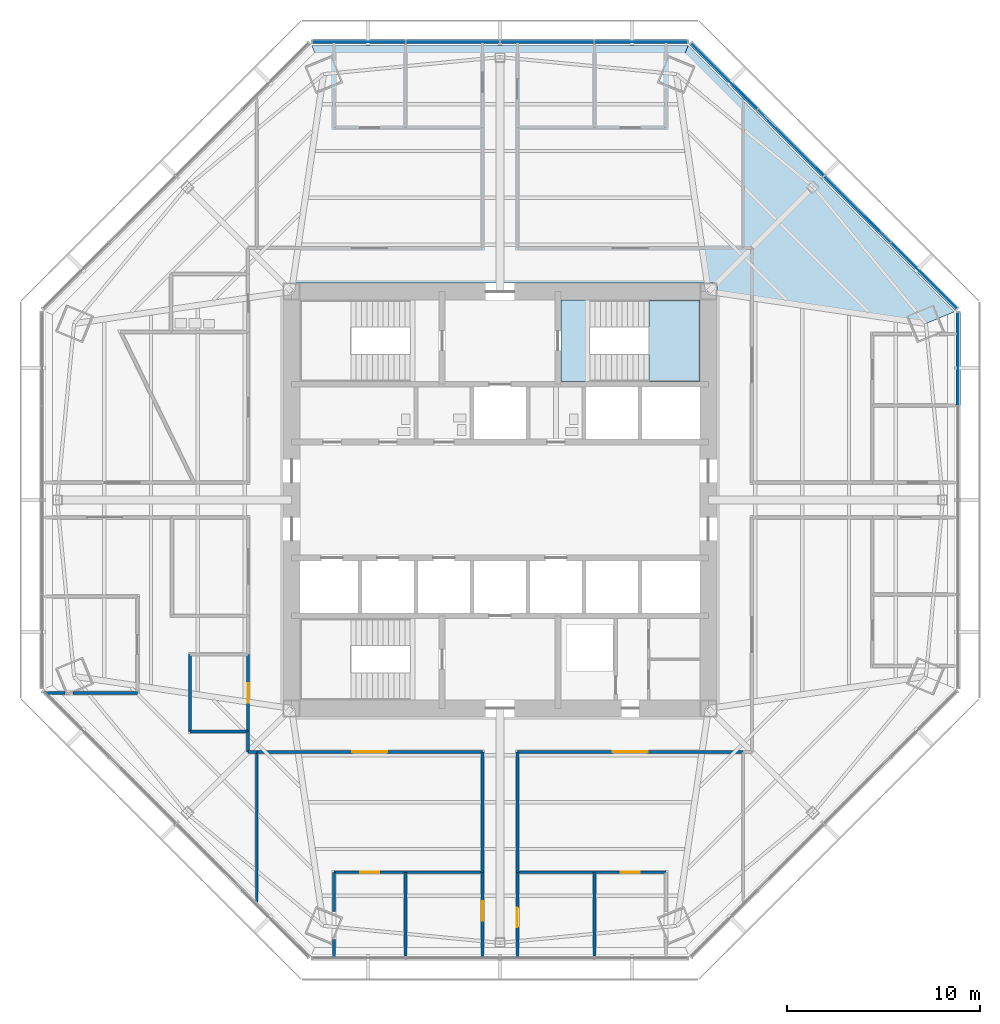
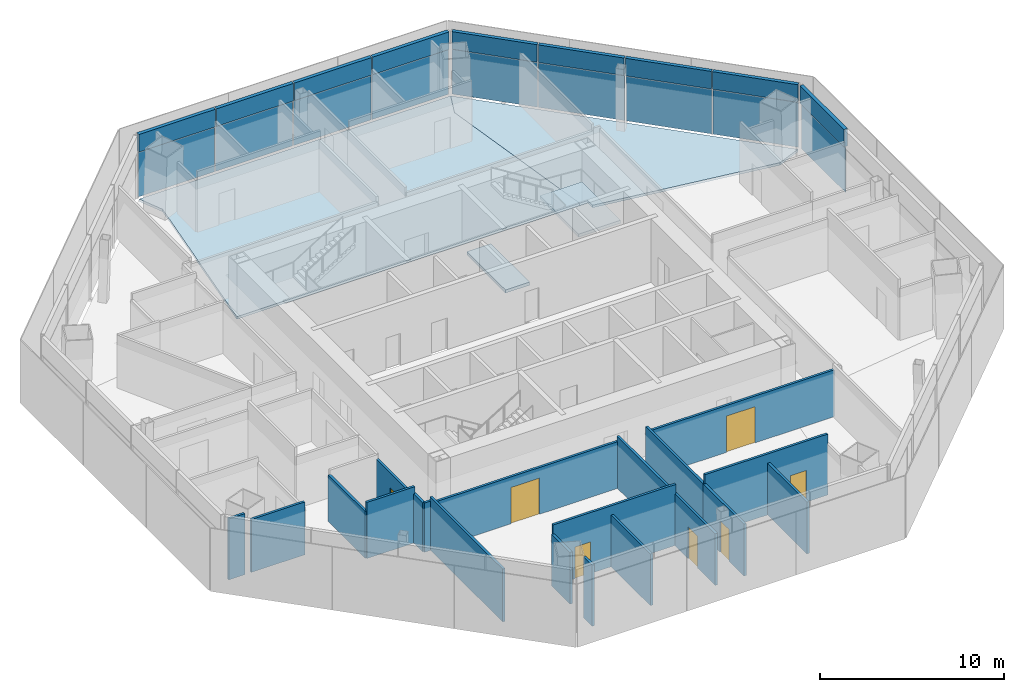
# One storey, part 8 of 15: 20 walls, 18 plates, 7 doors, 4 slabs, 7 openings, 4 elements without a shape of their own.
"""IFC4 building model written with IfcOpenShell, lengths in metres."""

from ifc_helpers import new_model, si_unit, direction, frame, frame_2d, origin, origin_2d, place, context, subcontext, project, spatial, polyline, rectangle, outline, extrude, source, transform, mapped, material, layer, layer_set, type_object, type_shapes, element, fill, aggregate, save


model = new_model("IFC4")

# Units and contexts
model_context = context("Model", 3, precision=1e-05, world=origin(), true_north=direction((0.0, 1.0)))
body_context = subcontext(model_context, "Body", "Model", "MODEL_VIEW")
ifc_project = project(units=[si_unit("LENGTHUNIT", "METRE"), si_unit("AREAUNIT", "SQUARE_METRE"), si_unit("VOLUMEUNIT", "CUBIC_METRE"), si_unit("PLANEANGLEUNIT", "RADIAN"), si_unit("MASSUNIT", "GRAM", prefix="KILO")], contexts=[model_context])

# Site, building, storey
site_placement = place(None, origin())
site = spatial("IfcSite", under=ifc_project, at=site_placement, CompositionType="ELEMENT")
building_placement = place(site_placement, origin())
building = spatial("IfcBuilding", under=site, at=building_placement, Name="Mashrafa Tower", CompositionType="ELEMENT")
storey_placement = place(building_placement, frame((0.0, 0.0, 151.199951171875)))
storey = spatial("IfcBuildingStorey", under=building, at=storey_placement, Name="L34", CompositionType="ELEMENT", Elevation=151.199951171875)

# Slabs
ifc_material_1 = material(Name="Concrete C35/45", Category="concrete")
ifc_layer_1 = layer(ifc_material_1, 0.1650390625)
ifc_layer_set_1 = layer_set([ifc_layer_1], Name="Floor slab 165")
slab_type_1 = type_object("IfcSlabType", Name="Floor slab 165", PredefinedType="FLOOR", material=ifc_layer_set_1)
slab_1_placement = place(storey_placement, frame((0.0, 0.0, -0.1650390625)))
element("IfcSlab", 1, at=slab_1_placement, inside=storey, type_object=slab_type_1, Name="Floor slab L34 north-east bay", PredefinedType="FLOOR", context=body_context, shape_type="SweptSolid", body=[
    extrude(outline(polyline([(23.537353515625, 9.74951171875), (22.06396484375, 9.13916015625), (11.25, 10.733642578125), (11.25, 11.25), (10.733642578125, 11.25), (9.13916015625, 22.06396484375), (9.74951171875, 23.537353515625), (23.537353515625, 9.74951171875)])), origin(), (0.0, 0.0, 1.0), 0.1650390625),
])
slab_2_placement = place(storey_placement, frame((0.0, 0.0, -0.1650390625)))
element("IfcSlab", 2, at=slab_2_placement, inside=storey, type_object=slab_type_1, Name="Floor slab L34 north bay", PredefinedType="FLOOR", context=body_context, shape_type="SweptSolid", body=[
    extrude(outline(polyline([(-9.74951171875, 23.53759765625), (9.74951171875, 23.53759765625), (9.74951171875, 23.537353515625), (9.13916015625, 22.06396484375), (10.733642578125, 11.25), (-10.733642578125, 11.25), (-9.13916015625, 22.06396484375), (-9.74951171875, 23.537353515625), (-9.74951171875, 23.53759765625)])), origin(), (0.0, 0.0, 1.0), 0.1650390625),
])

# Stair, slabs
ifc_material_2 = material(Name="Exit stair 1400")
stair_type = type_object("IfcStairType", Name="Exit stair 1400", PredefinedType="HALF_TURN_STAIR", material=ifc_material_2)
stair_placement = place(storey_placement, origin())
stair = element("IfcStair", 3, at=stair_placement, inside=storey, type_object=stair_type, Name="Stair S2 L34", PredefinedType="HALF_TURN_STAIR")
ifc_material_3 = material(Name="Concrete C32/40", Category="concrete")
ifc_layer_2 = layer(ifc_material_3, 0.199951171875)
ifc_layer_set_2 = layer_set([ifc_layer_2], Name="Stair landing 200")
slab_type_2 = type_object("IfcSlabType", Name="Stair landing 200", PredefinedType="LANDING", material=ifc_layer_set_2)
slab_3_placement = place(storey_placement, frame((0.0, 0.0, -0.199951171875)))
slab_3 = element("IfcSlab", 4, at=slab_3_placement, type_object=slab_type_2, Name="S2 landing 1", PredefinedType="LANDING", context=body_context, shape_type="SweptSolid", body=[
    extrude(outline(polyline([(3.14990234375, 6.14990234375), (4.659912109375, 6.14990234375), (4.659912109375, 10.35009765625), (3.14990234375, 10.35009765625), (3.14990234375, 6.14990234375)])), origin(), (0.0, 0.0, 1.0), 0.199951171875),
])
slab_4_placement = place(storey_placement, frame((0.0, 0.0, 1.900146484375)))
slab_4 = element("IfcSlab", 5, at=slab_4_placement, type_object=slab_type_2, Name="S2 landing 2", PredefinedType="LANDING", context=body_context, shape_type="SweptSolid", body=[
    extrude(outline(polyline([(7.719970703125, 6.14990234375), (10.35009765625, 6.14990234375), (10.35009765625, 10.35009765625), (7.719970703125, 10.35009765625), (7.719970703125, 6.14990234375)])), origin(), (0.0, 0.0, 1.0), 0.199951171875),
])
aggregate(stair, [slab_3, slab_4])

# Curtain wall, plate
ifc_material_4 = material(Name="Unitised aluminium curtain wall", Category="aluminium")
curtain_wall_type = type_object("IfcCurtainWallType", Name="Office curtain wall, zone 2 CW-B 225 deep", PredefinedType="NOTDEFINED", material=ifc_material_4)
curtain_wall_1_placement = place(storey_placement, origin())
curtain_wall_1 = element("IfcCurtainWall", 6, at=curtain_wall_1_placement, inside=storey, type_object=curtain_wall_type, Name="Office curtain wall, zone 2 L34 east", PredefinedType="NOTDEFINED")
ifc_material_5 = material(Name="Insulated double glazing, low-e, neutral", Category="glass")
ifc_layer_3 = layer(ifc_material_5, 0.028076171875)
ifc_layer_set_3 = layer_set([ifc_layer_3], Name="Vision panel CW-B 28")
plate_type_1 = type_object("IfcPlateType", Name="Vision panel CW-B 28", PredefinedType="CURTAIN_PANEL", material=ifc_layer_set_3)
shared_shape_1 = source(origin(), body_context, "Body", "SweptSolid", [
    extrude(rectangle(XDim=4.790283203125, YDim=0.028076171875, at=origin_2d()), origin(), (0.0, 0.0, 1.0), 2.9599609375),
])
plate_1_placement = place(storey_placement, frame((23.737548828125, 7.315673828125, 0.0), z_axis=(0.0, 0.0, 1.0), x_axis=(0.0, 1.0, 0.0)))
plate_1 = element("IfcPlate", 7, at=plate_1_placement, type_object=plate_type_1, Name="CW-B vision panel 4", PredefinedType="CURTAIN_PANEL", context=body_context, shape_type="MappedRepresentation", body=[
    mapped(shared_shape_1, transform((0.0, 0.0, 0.0))),
])

# Curtain wall, plates
curtain_wall_2_placement = place(storey_placement, origin())
curtain_wall_2 = element("IfcCurtainWall", 8, at=curtain_wall_2_placement, inside=storey, type_object=curtain_wall_type, Name="Office curtain wall, zone 2 L34 north-east", PredefinedType="NOTDEFINED")
plate_2_placement = place(storey_placement, frame((21.957763671875, 11.612060546875, 0.0), z_axis=(0.0, 0.0, 1.0), x_axis=(-0.707106781187, 0.707106781187, 0.0)))
plate_2 = element("IfcPlate", 9, at=plate_2_placement, type_object=plate_type_1, Name="CW-B vision panel 1", PredefinedType="CURTAIN_PANEL", context=body_context, shape_type="MappedRepresentation", body=[
    mapped(shared_shape_1, transform((0.0, 0.0, 0.0))),
])
plate_3_placement = place(storey_placement, frame((11.612060546875, 21.957763671875, 0.0), z_axis=(0.0, 0.0, 1.0), x_axis=(-0.707106781187, 0.707106781187, 0.0)))
plate_3 = element("IfcPlate", 10, at=plate_3_placement, type_object=plate_type_1, Name="CW-B vision panel 4", PredefinedType="CURTAIN_PANEL", context=body_context, shape_type="MappedRepresentation", body=[
    mapped(shared_shape_1, transform((0.0, 0.0, 0.0))),
])

curtain_wall_3_placement = place(storey_placement, origin())
curtain_wall_3 = element("IfcCurtainWall", 11, at=curtain_wall_3_placement, inside=storey, type_object=curtain_wall_type, Name="Office curtain wall, zone 2 L34 north", PredefinedType="NOTDEFINED")
plate_4_placement = place(storey_placement, frame((7.315673828125, 23.737548828125, 0.0), z_axis=(0.0, 0.0, 1.0), x_axis=(-1.0, 0.0, 0.0)))
plate_4 = element("IfcPlate", 12, at=plate_4_placement, type_object=plate_type_1, Name="CW-B vision panel 1", PredefinedType="CURTAIN_PANEL", context=body_context, shape_type="MappedRepresentation", body=[
    mapped(shared_shape_1, transform((0.0, 0.0, 0.0))),
])
plate_5_placement = place(storey_placement, frame((-7.315673828125, 23.737548828125, 0.0), z_axis=(0.0, 0.0, 1.0), x_axis=(-1.0, 0.0, 0.0)))
plate_5 = element("IfcPlate", 13, at=plate_5_placement, type_object=plate_type_1, Name="CW-B vision panel 4", PredefinedType="CURTAIN_PANEL", context=body_context, shape_type="MappedRepresentation", body=[
    mapped(shared_shape_1, transform((0.0, 0.0, 0.0))),
])

# Plate
ifc_material_6 = material(Name="Insulated aluminium spandrel panel", Category="aluminium")
ifc_layer_4 = layer(ifc_material_6, 0.219970703125)
ifc_layer_set_4 = layer_set([ifc_layer_4], Name="Spandrel panel CW-B 220")
plate_type_2 = type_object("IfcPlateType", Name="Spandrel panel CW-B 220", PredefinedType="CURTAIN_PANEL", material=ifc_layer_set_4)
shared_shape_2 = source(origin(), body_context, "Body", "SweptSolid", [
    extrude(rectangle(XDim=4.790283203125, YDim=0.219970703125, at=origin_2d()), origin(), (0.0, 0.0, 1.0), 1.159912109375),
])
plate_6_placement = place(storey_placement, frame((23.737548828125, 7.315673828125, 3.0400390625), z_axis=(0.0, 0.0, 1.0), x_axis=(0.0, 1.0, 0.0)))
plate_6 = element("IfcPlate", 14, at=plate_6_placement, type_object=plate_type_2, Name="CW-B spandrel panel 4", PredefinedType="CURTAIN_PANEL", context=body_context, shape_type="MappedRepresentation", body=[
    mapped(shared_shape_2, transform((0.0, 0.0, 0.0))),
])

aggregate(curtain_wall_1, [plate_1, plate_6])

plate_7_placement = place(storey_placement, frame((21.957763671875, 11.612060546875, 3.0400390625), z_axis=(0.0, 0.0, 1.0), x_axis=(-0.707106781187, 0.707106781187, 0.0)))
plate_7 = element("IfcPlate", 15, at=plate_7_placement, type_object=plate_type_2, Name="CW-B spandrel panel 1", PredefinedType="CURTAIN_PANEL", context=body_context, shape_type="MappedRepresentation", body=[
    mapped(shared_shape_2, transform((0.0, 0.0, 0.0))),
])

plate_8_placement = place(storey_placement, frame((11.612060546875, 21.957763671875, 3.0400390625), z_axis=(0.0, 0.0, 1.0), x_axis=(-0.707106781187, 0.707106781187, 0.0)))
plate_8 = element("IfcPlate", 16, at=plate_8_placement, type_object=plate_type_2, Name="CW-B spandrel panel 4", PredefinedType="CURTAIN_PANEL", context=body_context, shape_type="MappedRepresentation", body=[
    mapped(shared_shape_2, transform((0.0, 0.0, 0.0))),
])

plate_9_placement = place(storey_placement, frame((7.315673828125, 23.737548828125, 3.0400390625), z_axis=(0.0, 0.0, 1.0), x_axis=(-1.0, 0.0, 0.0)))
plate_9 = element("IfcPlate", 17, at=plate_9_placement, type_object=plate_type_2, Name="CW-B spandrel panel 1", PredefinedType="CURTAIN_PANEL", context=body_context, shape_type="MappedRepresentation", body=[
    mapped(shared_shape_2, transform((0.0, 0.0, 0.0))),
])

plate_10_placement = place(storey_placement, frame((-7.315673828125, 23.737548828125, 3.0400390625), z_axis=(0.0, 0.0, 1.0), x_axis=(-1.0, 0.0, 0.0)))
plate_10 = element("IfcPlate", 18, at=plate_10_placement, type_object=plate_type_2, Name="CW-B spandrel panel 4", PredefinedType="CURTAIN_PANEL", context=body_context, shape_type="MappedRepresentation", body=[
    mapped(shared_shape_2, transform((0.0, 0.0, 0.0))),
])

shared_shape_3 = source(origin(), body_context, "Body", "SweptSolid", [
    extrude(rectangle(XDim=4.822998046875, YDim=0.028076171875, at=origin_2d()), origin(), (0.0, 0.0, 1.0), 2.9599609375),
])
type_shapes(plate_type_1, [shared_shape_1, shared_shape_3])
plate_11_placement = place(storey_placement, frame((18.51318359375, 15.056884765625, 0.0), z_axis=(0.0, 0.0, 1.0), x_axis=(-0.707106781187, 0.707106781187, 0.0)))
plate_11 = element("IfcPlate", 19, at=plate_11_placement, type_object=plate_type_1, Name="CW-B vision panel 2", PredefinedType="CURTAIN_PANEL", context=body_context, shape_type="MappedRepresentation", body=[
    mapped(shared_shape_3, transform((0.0, 0.0, 0.0))),
])

plate_12_placement = place(storey_placement, frame((15.056884765625, 18.51318359375, 0.0), z_axis=(0.0, 0.0, 1.0), x_axis=(-0.707106781187, 0.707106781187, 0.0)))
plate_12 = element("IfcPlate", 20, at=plate_12_placement, type_object=plate_type_1, Name="CW-B vision panel 3", PredefinedType="CURTAIN_PANEL", context=body_context, shape_type="MappedRepresentation", body=[
    mapped(shared_shape_3, transform((0.0, 0.0, 0.0))),
])

plate_13_placement = place(storey_placement, frame((2.44384765625, 23.737548828125, 0.0), z_axis=(0.0, 0.0, 1.0), x_axis=(-1.0, 0.0, 0.0)))
plate_13 = element("IfcPlate", 21, at=plate_13_placement, type_object=plate_type_1, Name="CW-B vision panel 2", PredefinedType="CURTAIN_PANEL", context=body_context, shape_type="MappedRepresentation", body=[
    mapped(shared_shape_3, transform((0.0, 0.0, 0.0))),
])

plate_14_placement = place(storey_placement, frame((-2.44384765625, 23.737548828125, 0.0), z_axis=(0.0, 0.0, 1.0), x_axis=(-1.0, 0.0, 0.0)))
plate_14 = element("IfcPlate", 22, at=plate_14_placement, type_object=plate_type_1, Name="CW-B vision panel 3", PredefinedType="CURTAIN_PANEL", context=body_context, shape_type="MappedRepresentation", body=[
    mapped(shared_shape_3, transform((0.0, 0.0, 0.0))),
])

shared_shape_4 = source(origin(), body_context, "Body", "SweptSolid", [
    extrude(rectangle(XDim=4.822998046875, YDim=0.219970703125, at=origin_2d()), origin(), (0.0, 0.0, 1.0), 1.159912109375),
])
type_shapes(plate_type_2, [shared_shape_2, shared_shape_4])
plate_15_placement = place(storey_placement, frame((18.51318359375, 15.056884765625, 3.0400390625), z_axis=(0.0, 0.0, 1.0), x_axis=(-0.707106781187, 0.707106781187, 0.0)))
plate_15 = element("IfcPlate", 23, at=plate_15_placement, type_object=plate_type_2, Name="CW-B spandrel panel 2", PredefinedType="CURTAIN_PANEL", context=body_context, shape_type="MappedRepresentation", body=[
    mapped(shared_shape_4, transform((0.0, 0.0, 0.0))),
])

plate_16_placement = place(storey_placement, frame((15.056884765625, 18.51318359375, 3.0400390625), z_axis=(0.0, 0.0, 1.0), x_axis=(-0.707106781187, 0.707106781187, 0.0)))
plate_16 = element("IfcPlate", 24, at=plate_16_placement, type_object=plate_type_2, Name="CW-B spandrel panel 3", PredefinedType="CURTAIN_PANEL", context=body_context, shape_type="MappedRepresentation", body=[
    mapped(shared_shape_4, transform((0.0, 0.0, 0.0))),
])

aggregate(curtain_wall_2, [plate_2, plate_7, plate_11, plate_15, plate_12, plate_16, plate_3, plate_8])

plate_17_placement = place(storey_placement, frame((2.44384765625, 23.737548828125, 3.0400390625), z_axis=(0.0, 0.0, 1.0), x_axis=(-1.0, 0.0, 0.0)))
plate_17 = element("IfcPlate", 25, at=plate_17_placement, type_object=plate_type_2, Name="CW-B spandrel panel 2", PredefinedType="CURTAIN_PANEL", context=body_context, shape_type="MappedRepresentation", body=[
    mapped(shared_shape_4, transform((0.0, 0.0, 0.0))),
])

plate_18_placement = place(storey_placement, frame((-2.44384765625, 23.737548828125, 3.0400390625), z_axis=(0.0, 0.0, 1.0), x_axis=(-1.0, 0.0, 0.0)))
plate_18 = element("IfcPlate", 26, at=plate_18_placement, type_object=plate_type_2, Name="CW-B spandrel panel 3", PredefinedType="CURTAIN_PANEL", context=body_context, shape_type="MappedRepresentation", body=[
    mapped(shared_shape_4, transform((0.0, 0.0, 0.0))),
])

aggregate(curtain_wall_3, [plate_4, plate_9, plate_13, plate_17, plate_14, plate_18, plate_5, plate_10])

# Wall, opening, door
ifc_material_7 = material(Name="Gypsum board on steel studs", Category="steel")
ifc_layer_5 = layer(ifc_material_7, 0.14990234375)
ifc_layer_set_5 = layer_set([ifc_layer_5], Name="Corridor partition 150 1 hr")
wall_type_1 = type_object("IfcWallType", Name="Corridor partition 150 1 hr", PredefinedType="PARTITIONING", material=ifc_layer_set_5)
wall_1_placement = place(storey_placement, frame((0.89990234375, -23.721435546875, 0.0), z_axis=(0.0, 0.0, 1.0), x_axis=(0.0, 1.0, 0.0)))
wall_1 = element("IfcWall", 27, at=wall_1_placement, inside=storey, type_object=wall_type_1, Name="Corridor wall L34-008", PredefinedType="PARTITIONING", context=body_context, shape_type="SweptSolid", body=[
    extrude(rectangle(XDim=4.434814453125, YDim=0.14990234375, at=frame_2d((2.21728515625, 0.0))), origin(), (0.0, 0.0, 1.0), 3.425537109375),
])
opening_1_placement = place(wall_1_placement, frame((1.599609375, 0.0, 0.0)))
opening_1 = element("IfcOpeningElement", 28, at=opening_1_placement, cuts=wall_1, Name="Opening 34.011", PredefinedType="OPENING", context=body_context, shape_type="SweptSolid", body=[
    extrude(rectangle(XDim=1.0, YDim=2.10009765625, at=frame_2d((0.5, 1.050048828125))), frame((0.0, 0.0849609375, 0.0), z_axis=(0.0, -1.0, 0.0), x_axis=(1.0, 0.0, 0.0)), (0.0, 0.0, 1.0), 0.169921875),
])
ifc_material_8 = material(Name="Timber door", Category="wood")
door_type_1 = type_object("IfcDoorType", Name="Door 1000 x 2100", OperationType="USERDEFINED", PredefinedType="DOOR", material=ifc_material_8)
door_1_placement = place(opening_1_placement, frame((1.0, 0.0, 0.0), z_axis=(0.0, 0.0, 1.0), x_axis=(-1.0, 0.0, 0.0)))
door_1 = element("IfcDoor", 29, at=door_1_placement, inside=storey, type_object=door_type_1, Name="Serviced Office 34-SA-1 door", OperationType="SINGLE_SWING_RIGHT", OverallHeight=2.10009765625, OverallWidth=1.0, PredefinedType="DOOR", context=body_context, shape_type="SweptSolid", body=[
    extrude(rectangle(XDim=1.0, YDim=2.10009765625, at=frame_2d((0.5, 1.050048828125))), frame((0.0, 0.02490234375, 0.0), z_axis=(0.0, -1.0, 0.0), x_axis=(1.0, 0.0, 0.0)), (0.0, 0.0, 1.0), 0.050048828125),
])
fill(opening_1, door_1)

wall_2_placement = place(storey_placement, frame((-0.89990234375, -19.28662109375, 0.0), z_axis=(0.0, 0.0, 1.0), x_axis=(0.0, -1.0, 0.0)))
wall_2 = element("IfcWall", 30, at=wall_2_placement, inside=storey, type_object=wall_type_1, Name="Corridor wall L34-009", PredefinedType="PARTITIONING", context=body_context, shape_type="SweptSolid", body=[
    extrude(rectangle(XDim=4.434814453125, YDim=0.14990234375, at=frame_2d((2.21728515625, 0.0))), origin(), (0.0, 0.0, 1.0), 3.425537109375),
])
opening_2_placement = place(wall_2_placement, frame((1.50048828125, 0.0, 0.0)))
opening_2 = element("IfcOpeningElement", 31, at=opening_2_placement, cuts=wall_2, Name="Opening 34.014", PredefinedType="OPENING", context=body_context, shape_type="SweptSolid", body=[
    extrude(rectangle(XDim=1.0, YDim=2.10009765625, at=frame_2d((0.5, 1.050048828125))), frame((0.0, 0.0849609375, 0.0), z_axis=(0.0, -1.0, 0.0), x_axis=(1.0, 0.0, 0.0)), (0.0, 0.0, 1.0), 0.169921875),
])
door_2_placement = place(opening_2_placement, frame((1.0, 0.0, 0.0), z_axis=(0.0, 0.0, 1.0), x_axis=(-1.0, 0.0, 0.0)))
door_2 = element("IfcDoor", 32, at=door_2_placement, inside=storey, type_object=door_type_1, Name="Serviced Office 34-SB-2 door", OperationType="SINGLE_SWING_RIGHT", OverallHeight=2.10009765625, OverallWidth=1.0, PredefinedType="DOOR", context=body_context, shape_type="SweptSolid", body=[
    extrude(rectangle(XDim=1.0, YDim=2.10009765625, at=frame_2d((0.5, 1.050048828125))), frame((0.0, 0.02490234375, 0.0), z_axis=(0.0, -1.0, 0.0), x_axis=(1.0, 0.0, 0.0)), (0.0, 0.0, 1.0), 0.050048828125),
])
fill(opening_2, door_2)

wall_3_placement = place(storey_placement, frame((-13.050048828125, -7.9990234375, 0.0), z_axis=(0.0, 0.0, 1.0), x_axis=(0.0, -1.0, 0.0)))
wall_3 = element("IfcWall", 33, at=wall_3_placement, inside=storey, type_object=wall_type_1, Name="Corridor wall L34-010", PredefinedType="PARTITIONING", context=body_context, shape_type="SweptSolid", body=[
    extrude(rectangle(XDim=4.001953125, YDim=0.14990234375, at=frame_2d((2.0009765625, 0.0))), origin(), (0.0, 0.0, 1.0), 3.097900390625),
])
opening_3_placement = place(wall_3_placement, frame((1.5009765625, 0.0, 0.0)))
opening_3 = element("IfcOpeningElement", 34, at=opening_3_placement, cuts=wall_3, Name="Opening 34.016", PredefinedType="OPENING", context=body_context, shape_type="SweptSolid", body=[
    extrude(rectangle(XDim=1.0, YDim=2.10009765625, at=frame_2d((0.5, 1.050048828125))), frame((0.0, 0.0849609375, 0.0), z_axis=(0.0, -1.0, 0.0), x_axis=(1.0, 0.0, 0.0)), (0.0, 0.0, 1.0), 0.169921875),
])
door_3_placement = place(opening_3_placement, frame((1.0, 0.0, 0.0), z_axis=(0.0, 0.0, 1.0), x_axis=(-1.0, 0.0, 0.0)))
door_3 = element("IfcDoor", 35, at=door_3_placement, inside=storey, type_object=door_type_1, Name="Shared Pantry 34 door", OperationType="SINGLE_SWING_RIGHT", OverallHeight=2.10009765625, OverallWidth=1.0, PredefinedType="DOOR", context=body_context, shape_type="SweptSolid", body=[
    extrude(rectangle(XDim=1.0, YDim=2.10009765625, at=frame_2d((0.5, 1.050048828125))), frame((0.0, 0.02490234375, 0.0), z_axis=(0.0, -1.0, 0.0), x_axis=(1.0, 0.0, 0.0)), (0.0, 0.0, 1.0), 0.050048828125),
])
fill(opening_3, door_3)

# Walls
wall_4_placement = place(storey_placement, frame((-13.050048828125, -11.9990234375, 0.0), z_axis=(0.0, 0.0, 1.0), x_axis=(0.0, -1.0, 0.0)))
element("IfcWall", 36, at=wall_4_placement, inside=storey, type_object=wall_type_1, Name="Corridor wall L34-024", PredefinedType="PARTITIONING", context=body_context, shape_type="SweptSolid", body=[
    extrude(rectangle(XDim=1.051025390625, YDim=0.14990234375, at=frame_2d((0.525390625, 0.0))), origin(), (0.0, 0.0, 1.0), 3.262939453125),
])
wall_5_placement = place(storey_placement, frame((-13.050048828125, -13.050048828125, 0.0), z_axis=(0.0, 0.0, 1.0), x_axis=(1.0, 0.0, 0.0)))
element("IfcWall", 37, at=wall_5_placement, inside=storey, type_object=wall_type_1, Name="Corridor wall L34-025", PredefinedType="PARTITIONING", context=body_context, shape_type="SweptSolid", body=[
    extrude(rectangle(XDim=0.450927734375, YDim=0.14990234375, at=frame_2d((0.2255859375, 0.0))), origin(), (0.0, 0.0, 1.0), 3.262939453125),
])

# Wall, opening, door
wall_6_placement = place(storey_placement, frame((-12.60107421875, -13.050048828125, 0.0), z_axis=(0.0, 0.0, 1.0), x_axis=(1.0, 0.0, 0.0)))
wall_6 = element("IfcWall", 38, at=wall_6_placement, inside=storey, type_object=wall_type_1, Name="Corridor wall L34-027", PredefinedType="PARTITIONING", context=body_context, shape_type="SweptSolid", body=[
    extrude(rectangle(XDim=11.701171875, YDim=0.14990234375, at=frame_2d((5.8505859375, 0.0))), origin(), (0.0, 0.0, 1.0), 3.097900390625),
])
opening_4_placement = place(wall_6_placement, frame((4.950439453125, 0.0, 0.0)))
opening_4 = element("IfcOpeningElement", 39, at=opening_4_placement, cuts=wall_6, Name="Opening 34.023", PredefinedType="OPENING", context=body_context, shape_type="SweptSolid", body=[
    extrude(rectangle(XDim=1.800048828125, YDim=2.39990234375, at=frame_2d((0.89990234375, 1.199951171875))), frame((0.0, 0.0849609375, 0.0), z_axis=(0.0, -1.0, 0.0), x_axis=(1.0, 0.0, 0.0)), (0.0, 0.0, 1.0), 0.169921875),
])
ifc_material_9 = material(Name="Timber door", Category="wood")
door_type_2 = type_object("IfcDoorType", Name="Door pair 1800 x 2400", OperationType="DOUBLE_DOOR_SINGLE_SWING", PredefinedType="DOOR", material=ifc_material_9)
door_4_placement = place(opening_4_placement, origin())
door_4 = element("IfcDoor", 40, at=door_4_placement, inside=storey, type_object=door_type_2, Name="Business Centre Lounge 34-SW2 door", OperationType="DOUBLE_DOOR_SINGLE_SWING", OverallHeight=2.39990234375, OverallWidth=1.800048828125, PredefinedType="DOOR", context=body_context, shape_type="SweptSolid", body=[
    extrude(rectangle(XDim=1.800048828125, YDim=2.39990234375, at=frame_2d((0.89990234375, 1.199951171875))), frame((0.0, 0.02490234375, 0.0), z_axis=(0.0, -1.0, 0.0), x_axis=(1.0, 0.0, 0.0)), (0.0, 0.0, 1.0), 0.050048828125),
])
fill(opening_4, door_4)

# Walls
for number, where, z_axis, x_axis, name in (
    (41, (-0.89990234375, -13.050048828125, 0.0), (0.0, 0.0, 1.0), (0.0, -1.0, 0.0), "Corridor wall L34-028"),
    (42, (0.89990234375, -19.28857421875, 0.0), (0.0, 0.0, 1.0), (0.0, 1.0, 0.0), "Corridor wall L34-032"),
):
    element("IfcWall", number, at=place(storey_placement, frame(where, z_axis=z_axis, x_axis=x_axis)), inside=storey, type_object=wall_type_1, Name=name, PredefinedType="PARTITIONING", context=body_context, shape_type="SweptSolid", body=[
        extrude(rectangle(XDim=6.238525390625, YDim=0.14990234375, at=frame_2d((3.119140625, 0.0))), origin(), (0.0, 0.0, 1.0), 3.425537109375),
    ])

# Wall, opening, door
wall_7_placement = place(storey_placement, frame((0.89990234375, -13.050048828125, 0.0), z_axis=(0.0, 0.0, 1.0), x_axis=(1.0, 0.0, 0.0)))
wall_7 = element("IfcWall", 43, at=wall_7_placement, inside=storey, type_object=wall_type_1, Name="Corridor wall L34-033", PredefinedType="PARTITIONING", context=body_context, shape_type="SweptSolid", body=[
    extrude(rectangle(XDim=11.701171875, YDim=0.14990234375, at=frame_2d((5.8505859375, 0.0))), origin(), (0.0, 0.0, 1.0), 3.097900390625),
])
opening_5_placement = place(wall_7_placement, frame((4.950439453125, 0.0, 0.0)))
opening_5 = element("IfcOpeningElement", 44, at=opening_5_placement, cuts=wall_7, Name="Opening 34.025", PredefinedType="OPENING", context=body_context, shape_type="SweptSolid", body=[
    extrude(rectangle(XDim=1.800048828125, YDim=2.39990234375, at=frame_2d((0.89990234375, 1.199951171875))), frame((0.0, 0.0849609375, 0.0), z_axis=(0.0, -1.0, 0.0), x_axis=(1.0, 0.0, 0.0)), (0.0, 0.0, 1.0), 0.169921875),
])
door_5_placement = place(opening_5_placement, origin())
door_5 = element("IfcDoor", 45, at=door_5_placement, inside=storey, type_object=door_type_2, Name="Business Centre Lounge 34-SE2 door", OperationType="DOUBLE_DOOR_SINGLE_SWING", OverallHeight=2.39990234375, OverallWidth=1.800048828125, PredefinedType="DOOR", context=body_context, shape_type="SweptSolid", body=[
    extrude(rectangle(XDim=1.800048828125, YDim=2.39990234375, at=frame_2d((0.89990234375, 1.199951171875))), frame((0.0, 0.02490234375, 0.0), z_axis=(0.0, -1.0, 0.0), x_axis=(1.0, 0.0, 0.0)), (0.0, 0.0, 1.0), 0.050048828125),
])
fill(opening_5, door_5)

# Wall
ifc_material_10 = material(Name="Gypsum board on steel studs", Category="steel")
ifc_layer_6 = layer(ifc_material_10, 0.14990234375)
ifc_layer_set_6 = layer_set([ifc_layer_6], Name="Partition 150")
wall_type_2 = type_object("IfcWallType", Name="Partition 150", PredefinedType="PARTITIONING", material=ifc_layer_set_6)
wall_8_placement = place(storey_placement, frame((4.89990234375, -23.6201171875, 0.0), z_axis=(0.0, 0.0, 1.0), x_axis=(0.0, 1.0, 0.0)))
element("IfcWall", 46, at=wall_8_placement, inside=storey, type_object=wall_type_2, Name="Partition wall L34-059", PredefinedType="PARTITIONING", context=body_context, shape_type="SweptSolid", body=[
    extrude(rectangle(XDim=4.33251953125, YDim=0.14990234375, at=frame_2d((2.166259765625, 0.0))), origin(), (0.0, 0.0, 1.0), 3.425537109375),
])

# Wall, opening, door
wall_9_placement = place(storey_placement, frame((0.89990234375, -19.28759765625, 0.0), z_axis=(0.0, 0.0, 1.0), x_axis=(1.0, 0.0, 0.0)))
wall_9 = element("IfcWall", 47, at=wall_9_placement, inside=storey, type_object=wall_type_2, Name="Partition wall L34-060", PredefinedType="PARTITIONING", context=body_context, shape_type="SweptSolid", body=[
    extrude(rectangle(XDim=7.7001953125, YDim=0.14990234375, at=frame_2d((3.85009765625, 0.0))), origin(), (0.0, 0.0, 1.0), 4.03515625),
])
opening_6_placement = place(wall_9_placement, frame((5.35009765625, 0.0, 0.0)))
opening_6 = element("IfcOpeningElement", 48, at=opening_6_placement, cuts=wall_9, Name="Opening 34.012", PredefinedType="OPENING", context=body_context, shape_type="SweptSolid", body=[
    extrude(rectangle(XDim=1.0, YDim=2.10009765625, at=frame_2d((0.5, 1.050048828125))), frame((0.0, 0.0849609375, 0.0), z_axis=(0.0, -1.0, 0.0), x_axis=(1.0, 0.0, 0.0)), (0.0, 0.0, 1.0), 0.169921875),
])
door_6_placement = place(opening_6_placement, frame((1.0, 0.0, 0.0), z_axis=(0.0, 0.0, 1.0), x_axis=(-1.0, 0.0, 0.0)))
door_6 = element("IfcDoor", 49, at=door_6_placement, inside=storey, type_object=door_type_1, Name="Serviced Office 34-SE2 door", OperationType="SINGLE_SWING_RIGHT", OverallHeight=2.10009765625, OverallWidth=1.0, PredefinedType="DOOR", context=body_context, shape_type="SweptSolid", body=[
    extrude(rectangle(XDim=1.0, YDim=2.10009765625, at=frame_2d((0.5, 1.050048828125))), frame((0.0, 0.02490234375, 0.0), z_axis=(0.0, -1.0, 0.0), x_axis=(1.0, 0.0, 0.0)), (0.0, 0.0, 1.0), 0.050048828125),
])
fill(opening_6, door_6)

# Wall
wall_10_placement = place(storey_placement, frame((-4.89990234375, -23.6201171875, 0.0), z_axis=(0.0, 0.0, 1.0), x_axis=(0.0, 1.0, 0.0)))
element("IfcWall", 50, at=wall_10_placement, inside=storey, type_object=wall_type_2, Name="Partition wall L34-064", PredefinedType="PARTITIONING", context=body_context, shape_type="SweptSolid", body=[
    extrude(rectangle(XDim=4.33251953125, YDim=0.14990234375, at=frame_2d((2.166259765625, 0.0))), origin(), (0.0, 0.0, 1.0), 3.425537109375),
])

# Wall, opening, door
wall_11_placement = place(storey_placement, frame((-8.60009765625, -19.28759765625, 0.0), z_axis=(0.0, 0.0, 1.0), x_axis=(1.0, 0.0, 0.0)))
wall_11 = element("IfcWall", 51, at=wall_11_placement, inside=storey, type_object=wall_type_2, Name="Partition wall L34-065", PredefinedType="PARTITIONING", context=body_context, shape_type="SweptSolid", body=[
    extrude(rectangle(XDim=7.7001953125, YDim=0.14990234375, at=frame_2d((3.85009765625, 0.0))), origin(), (0.0, 0.0, 1.0), 4.03515625),
])
opening_7_placement = place(wall_11_placement, frame((1.35009765625, 0.0, 0.0)))
opening_7 = element("IfcOpeningElement", 52, at=opening_7_placement, cuts=wall_11, Name="Opening 34.013", PredefinedType="OPENING", context=body_context, shape_type="SweptSolid", body=[
    extrude(rectangle(XDim=1.0, YDim=2.10009765625, at=frame_2d((0.5, 1.050048828125))), frame((0.0, 0.0849609375, 0.0), z_axis=(0.0, -1.0, 0.0), x_axis=(1.0, 0.0, 0.0)), (0.0, 0.0, 1.0), 0.169921875),
])
door_7_placement = place(opening_7_placement, frame((1.0, 0.0, 0.0), z_axis=(0.0, 0.0, 1.0), x_axis=(-1.0, 0.0, 0.0)))
door_7 = element("IfcDoor", 53, at=door_7_placement, inside=storey, type_object=door_type_1, Name="Serviced Office 34-SW2 door", OperationType="SINGLE_SWING_RIGHT", OverallHeight=2.10009765625, OverallWidth=1.0, PredefinedType="DOOR", context=body_context, shape_type="SweptSolid", body=[
    extrude(rectangle(XDim=1.0, YDim=2.10009765625, at=frame_2d((0.5, 1.050048828125))), frame((0.0, 0.02490234375, 0.0), z_axis=(0.0, -1.0, 0.0), x_axis=(1.0, 0.0, 0.0)), (0.0, 0.0, 1.0), 0.050048828125),
])
fill(opening_7, door_7)

# Walls
wall_12_placement = place(storey_placement, frame((-8.60009765625, -19.28759765625, 0.0), z_axis=(0.0, 0.0, 1.0), x_axis=(0.0, -1.0, 0.0)))
element("IfcWall", 54, at=wall_12_placement, inside=storey, type_object=wall_type_2, Name="Partition wall L34-066", PredefinedType="PARTITIONING", context=body_context, shape_type="SweptSolid", body=[
    extrude(rectangle(XDim=2.022216796875, YDim=0.14990234375, at=frame_2d((1.01123046875, 0.0))), origin(), (0.0, 0.0, 1.0), 3.425537109375),
])
wall_13_placement = place(storey_placement, frame((-8.60009765625, -22.771728515625, 0.0), z_axis=(0.0, 0.0, 1.0), x_axis=(0.0, -1.0, 0.0)))
element("IfcWall", 55, at=wall_13_placement, inside=storey, type_object=wall_type_2, Name="Partition wall L34-067", PredefinedType="PARTITIONING", context=body_context, shape_type="SweptSolid", body=[
    extrude(rectangle(XDim=0.94775390625, YDim=0.14990234375, at=frame_2d((0.473876953125, 0.0))), origin(), (0.0, 0.0, 1.0), 4.03515625),
])
wall_14_placement = place(storey_placement, frame((-23.546142578125, -10.0, 0.0), z_axis=(0.0, 0.0, 1.0), x_axis=(1.0, 0.0, 0.0)))
element("IfcWall", 56, at=wall_14_placement, inside=storey, type_object=wall_type_2, Name="Partition wall L34-069", PredefinedType="PARTITIONING", context=body_context, shape_type="SweptSolid", body=[
    extrude(rectangle(XDim=1.011474609375, YDim=0.14990234375, at=frame_2d((0.505859375, 0.0))), origin(), (0.0, 0.0, 1.0), 4.03515625),
])
wall_15_placement = place(storey_placement, frame((-22.132568359375, -10.0, 0.0), z_axis=(0.0, 0.0, 1.0), x_axis=(1.0, 0.0, 0.0)))
element("IfcWall", 57, at=wall_15_placement, inside=storey, type_object=wall_type_2, Name="Partition wall L34-070", PredefinedType="PARTITIONING", context=body_context, shape_type="SweptSolid", body=[
    extrude(rectangle(XDim=3.344970703125, YDim=0.14990234375, at=frame_2d((1.67236328125, 0.0))), origin(), (0.0, 0.0, 1.0), 3.499267578125),
])
wall_16_placement = place(storey_placement, frame((-16.050048828125, -8.0, 0.0), z_axis=(0.0, 0.0, 1.0), x_axis=(0.0, -1.0, 0.0)))
element("IfcWall", 58, at=wall_16_placement, inside=storey, type_object=wall_type_2, Name="Partition wall L34-074", PredefinedType="PARTITIONING", context=body_context, shape_type="SweptSolid", body=[
    extrude(rectangle(XDim=4.0, YDim=0.14990234375, at=frame_2d((2.0, 0.0))), origin(), (0.0, 0.0, 1.0), 3.097900390625),
])
wall_17_placement = place(storey_placement, frame((-16.050048828125, -12.0, 0.0), z_axis=(0.0, 0.0, 1.0), x_axis=(1.0, 0.0, 0.0)))
element("IfcWall", 59, at=wall_17_placement, inside=storey, type_object=wall_type_2, Name="Partition wall L34-075", PredefinedType="PARTITIONING", context=body_context, shape_type="SweptSolid", body=[
    extrude(rectangle(XDim=3.0, YDim=0.14990234375, at=frame_2d((1.5, 0.0))), origin(), (0.0, 0.0, 1.0), 3.715087890625),
])
wall_18_placement = place(storey_placement, frame((-12.60009765625, -20.946044921875, 0.0), z_axis=(0.0, 0.0, 1.0), x_axis=(0.0, 1.0, 0.0)))
element("IfcWall", 60, at=wall_18_placement, inside=storey, type_object=wall_type_2, Name="Partition wall L34-080", PredefinedType="PARTITIONING", context=body_context, shape_type="SweptSolid", body=[
    extrude(rectangle(XDim=7.89599609375, YDim=0.14990234375, at=frame_2d((3.947998046875, 0.0))), origin(), (0.0, 0.0, 1.0), 3.499267578125),
])

save(model, "model.ifc")
